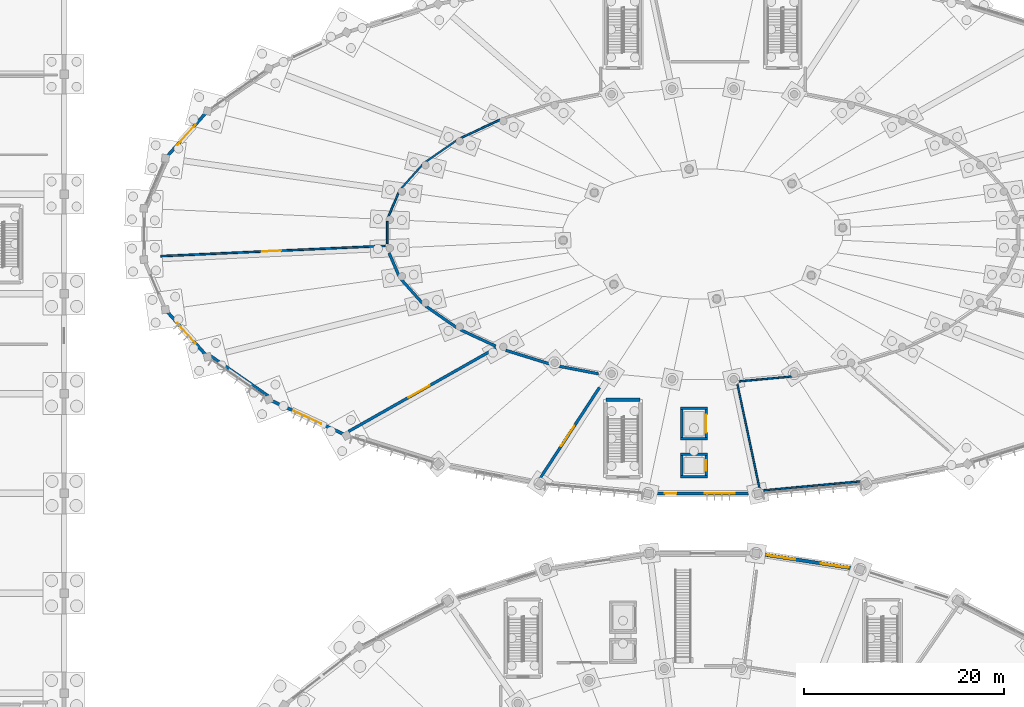
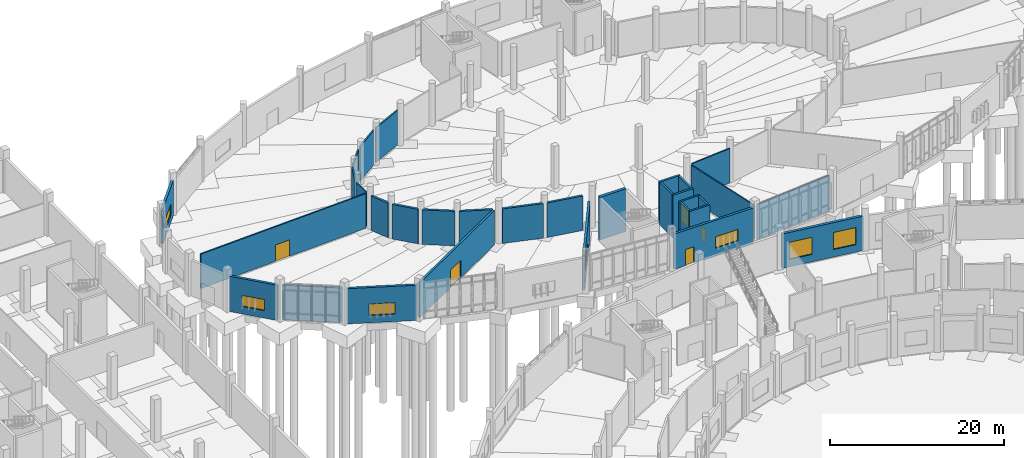
# One storey, part 84 of 140: 32 walls, 6 doors, 6 windows, 12 openings.
"""IFC4 building model written with IfcOpenShell, lengths in metres."""

from ifc_helpers import new_model, si_unit, direction, frame, frame_2d, origin, place, context, subcontext, project, spatial, rectangle, extrude, material, layer, layer_set, type_object, element, fill, save


model = new_model("IFC4")

# Units and contexts
model_context = context("Model", 3, precision=1e-05, world=origin(), true_north=direction((0.0, 1.0)))
body_context = subcontext(model_context, "Body", "Model", "MODEL_VIEW")
ifc_project = project(units=[si_unit("LENGTHUNIT", "METRE"), si_unit("AREAUNIT", "SQUARE_METRE"), si_unit("VOLUMEUNIT", "CUBIC_METRE"), si_unit("PLANEANGLEUNIT", "RADIAN"), si_unit("MASSUNIT", "GRAM", prefix="KILO")], contexts=[model_context])

# Site, building, storey
site_placement = place(None, origin())
site = spatial("IfcSite", under=ifc_project, at=site_placement, CompositionType="ELEMENT")
building_placement = place(site_placement, origin())
building = spatial("IfcBuilding", under=site, at=building_placement, Name="Corvandel Quay Wholesale Market", CompositionType="ELEMENT")
storey_placement = place(building_placement, origin())
storey = spatial("IfcBuildingStorey", under=building, at=storey_placement, Name="L00", CompositionType="ELEMENT", Elevation=0.0)

# Walls
ifc_material_1 = material(Name="PIR insulated food-safe sandwich panel")
ifc_layer_1 = layer(ifc_material_1, 0.280029296875)
ifc_layer_set_1 = layer_set([ifc_layer_1], Name="PIR insulated food-safe sandwich panel")
wall_type_1 = type_object("IfcWallType", Name="Cold Store Insulated Partition PT03 280", PredefinedType="PARTITIONING", material=ifc_layer_set_1)
wall_1_placement = place(storey_placement, frame((70.451416015625, 99.777587890625, 0.0), z_axis=(0.0, 0.0, 1.0), x_axis=(-0.821231355214, 0.570595356811, 0.0)))
element("IfcWall", 1, at=wall_1_placement, inside=storey, type_object=wall_type_1, Name="Interior Wall IW-0587", PredefinedType="PARTITIONING", context=body_context, shape_type="SweptSolid", body=[
    extrude(rectangle(XDim=6.969482421875, YDim=0.280029296875, at=frame_2d((3.48486328125, 0.0))), origin(), (0.0, 0.0, 1.0), 4.85009765625),
])
wall_2_placement = place(storey_placement, frame((82.55908203125, 114.095947265625, 0.0), z_axis=(0.0, 0.0, 1.0), x_axis=(0.395585757701, -0.918429043696, 0.0)))
element("IfcWall", 2, at=wall_2_placement, inside=storey, type_object=wall_type_1, Name="Interior Wall IW-0588", PredefinedType="PARTITIONING", context=body_context, shape_type="SweptSolid", body=[
    extrude(rectangle(XDim=2.4921875, YDim=0.280029296875, at=frame_2d((1.24609375, 0.0))), origin(), (0.0, 0.0, 1.0), 4.85009765625),
])
wall_3_placement = place(storey_placement, frame((83.7783203125, 111.44091796875, 0.0), z_axis=(0.0, 0.0, 1.0), x_axis=(0.665603277303, -0.746305753189, 0.0)))
element("IfcWall", 3, at=wall_3_placement, inside=storey, type_object=wall_type_1, Name="Interior Wall IW-0589", PredefinedType="PARTITIONING", context=body_context, shape_type="SweptSolid", body=[
    extrude(rectangle(XDim=3.176513671875, YDim=0.280029296875, at=frame_2d((1.58837890625, 0.0))), origin(), (0.0, 0.0, 1.0), 4.85009765625),
])
wall_4_placement = place(storey_placement, frame((86.2197265625, 108.780517578125, 0.0), z_axis=(0.0, 0.0, 1.0), x_axis=(0.821256810333, -0.570558718698, 0.0)))
element("IfcWall", 4, at=wall_4_placement, inside=storey, type_object=wall_type_1, Name="Interior Wall IW-0590", PredefinedType="PARTITIONING", context=body_context, shape_type="SweptSolid", body=[
    extrude(rectangle(XDim=3.791259765625, YDim=0.280029296875, at=frame_2d((1.8955078125, 0.0))), origin(), (0.0, 0.0, 1.0), 4.85009765625),
])
wall_5_placement = place(storey_placement, frame((89.71337890625, 106.3994140625, 0.0), z_axis=(0.0, 0.0, 1.0), x_axis=(0.906946461063, -0.421245910086, 0.0)))
element("IfcWall", 5, at=wall_5_placement, inside=storey, type_object=wall_type_1, Name="Interior Wall IW-0591", PredefinedType="PARTITIONING", context=body_context, shape_type="SweptSolid", body=[
    extrude(rectangle(XDim=3.89013671875, YDim=0.280029296875, at=frame_2d((1.945068359375, 0.0))), origin(), (0.0, 0.0, 1.0), 4.85009765625),
])

# Wall, opening, door
wall_6_placement = place(storey_placement, frame((93.24951171875, 104.559814453125, 0.0), z_axis=(0.0, 0.0, 1.0), x_axis=(-0.87035320062, -0.492427970541, 0.0)))
wall_6 = element("IfcWall", 6, at=wall_6_placement, inside=storey, type_object=wall_type_1, Name="Interior Wall IW-0592", PredefinedType="PARTITIONING", context=body_context, shape_type="SweptSolid", body=[
    extrude(rectangle(XDim=16.968017578125, YDim=0.280029296875, at=frame_2d((8.48388671875, 0.0))), origin(), (0.0, 0.0, 1.0), 4.85009765625),
])
opening_1_placement = place(wall_6_placement, frame((7.634033203125, 0.0, 0.0)))
opening_1 = element("IfcOpeningElement", 7, at=opening_1_placement, cuts=wall_6, Name="Opening L00-D100", PredefinedType="OPENING", context=body_context, shape_type="SweptSolid", body=[
    extrude(rectangle(XDim=2.39990234375, YDim=2.449951171875, at=frame_2d((1.199951171875, 1.22509765625))), frame((0.0, 0.14990234375, 0.0), z_axis=(0.0, -1.0, 0.0), x_axis=(1.0, 0.0, 0.0)), (0.0, 0.0, 1.0), 0.300048828125),
])
ifc_material_2 = material(Name="Stainless insulated cold-store leaf")
door_type_1 = type_object("IfcDoorType", Name="Cold Store Insulated Sliding Door ID06 2400x2450", OperationType="DOUBLE_DOOR_SLIDING", PredefinedType="DOOR", material=ifc_material_2)
door_1_placement = place(opening_1_placement, origin())
door_1 = element("IfcDoor", 8, at=door_1_placement, inside=storey, type_object=door_type_1, Name="Seafood Flake Ice Chiller Room Door", OperationType="DOUBLE_DOOR_SLIDING", OverallHeight=2.449951171875, OverallWidth=2.39990234375, PredefinedType="DOOR", context=body_context, shape_type="SweptSolid", body=[
    extrude(rectangle(XDim=2.39990234375, YDim=2.449951171875, at=frame_2d((1.199951171875, 1.22509765625))), frame((0.0, 0.02490234375, 0.0), z_axis=(0.0, -1.0, 0.0), x_axis=(1.0, 0.0, 0.0)), (0.0, 0.0, 1.0), 0.050048828125),
])
fill(opening_1, door_1)

# Walls
wall_7_placement = place(storey_placement, frame((94.2490234375, 104.34375, 0.0), z_axis=(0.0, 0.0, 1.0), x_axis=(0.955098678562, -0.296287890756, 0.0)))
element("IfcWall", 9, at=wall_7_placement, inside=storey, type_object=wall_type_1, Name="Interior Wall IW-0594", PredefinedType="PARTITIONING", context=body_context, shape_type="SweptSolid", body=[
    extrude(rectangle(XDim=4.82861328125, YDim=0.280029296875, at=frame_2d((2.414306640625, 0.0))), origin(), (0.0, 0.0, 1.0), 4.85009765625),
])
wall_8_placement = place(storey_placement, frame((99.287109375, 102.806396484375, 0.0), z_axis=(0.0, 0.0, 1.0), x_axis=(0.981954993589, -0.189114755017, 0.0)))
element("IfcWall", 10, at=wall_8_placement, inside=storey, type_object=wall_type_1, Name="Interior Wall IW-0595", PredefinedType="PARTITIONING", context=body_context, shape_type="SweptSolid", body=[
    extrude(rectangle(XDim=4.3349609375, YDim=0.280029296875, at=frame_2d((2.16748046875, 0.0))), origin(), (0.0, 0.0, 1.0), 4.85009765625),
])

# Wall, opening, door
wall_9_placement = place(storey_placement, frame((103.6396484375, 100.618896484375, 0.0), z_axis=(0.0, 0.0, 1.0), x_axis=(-0.546936891826, -0.837173838793, 0.0)))
wall_9 = element("IfcWall", 11, at=wall_9_placement, inside=storey, type_object=wall_type_1, Name="Interior Wall IW-0596", PredefinedType="PARTITIONING", context=body_context, shape_type="SweptSolid", body=[
    extrude(rectangle(XDim=10.927001953125, YDim=0.280029296875, at=frame_2d((5.46337890625, 0.0))), origin(), (0.0, 0.0, 1.0), 4.85009765625),
])
opening_2_placement = place(wall_9_placement, frame((4.613037109375, 0.0, 0.0)))
opening_2 = element("IfcOpeningElement", 12, at=opening_2_placement, cuts=wall_9, Name="Opening L00-D101", PredefinedType="OPENING", context=body_context, shape_type="SweptSolid", body=[
    extrude(rectangle(XDim=2.39990234375, YDim=2.449951171875, at=frame_2d((1.199951171875, 1.22509765625))), frame((0.0, 0.14990234375, 0.0), z_axis=(0.0, -1.0, 0.0), x_axis=(1.0, 0.0, 0.0)), (0.0, 0.0, 1.0), 0.300048828125),
])
door_2_placement = place(opening_2_placement, origin())
door_2 = element("IfcDoor", 13, at=door_2_placement, inside=storey, type_object=door_type_1, Name="Seafood Subzero Holding Freezer Door", OperationType="DOUBLE_DOOR_SLIDING", OverallHeight=2.449951171875, OverallWidth=2.39990234375, PredefinedType="DOOR", context=body_context, shape_type="SweptSolid", body=[
    extrude(rectangle(XDim=2.39990234375, YDim=2.449951171875, at=frame_2d((1.199951171875, 1.22509765625))), frame((0.0, 0.02490234375, 0.0), z_axis=(0.0, -1.0, 0.0), x_axis=(1.0, 0.0, 0.0)), (0.0, 0.0, 1.0), 0.050048828125),
])
fill(opening_2, door_2)

# Wall
ifc_material_3 = material(Name="Concrete C40/50", Category="concrete")
ifc_layer_2 = layer(ifc_material_3, 0.35009765625)
ifc_layer_set_2 = layer_set([ifc_layer_2], Name="Concrete C40/50")
wall_type_2 = type_object("IfcWallType", Name="Core Shear Wall SW01 350", PredefinedType="SHEAR", material=ifc_layer_set_2)
wall_10_placement = place(storey_placement, frame((104.27490234375, 99.375, 0.0), z_axis=(0.0, 0.0, 1.0), x_axis=(1.0, 0.0, 0.0)))
element("IfcWall", 14, at=wall_10_placement, inside=storey, type_object=wall_type_2, Name="Shear Wall IW-0050", PredefinedType="SHEAR", context=body_context, shape_type="SweptSolid", body=[
    extrude(rectangle(XDim=3.4501953125, YDim=0.35009765625, at=frame_2d((1.72509765625, 0.0))), origin(), (0.0, 0.0, 1.0), 6.0),
])

# Wall, opening, window
ifc_material_4 = material(Name="Marine precast concrete C45/55", Category="concrete")
ifc_layer_3 = layer(ifc_material_4, 0.31005859375)
ifc_layer_set_3 = layer_set([ifc_layer_3], Name="Marine precast concrete C45/55")
wall_type_3 = type_object("IfcWallType", Name="Fish Hall Marine Precast Wall EW06 310", PredefinedType="SOLIDWALL", material=ifc_layer_set_3)
wall_11_placement = place(storey_placement, frame((64.213134765625, 128.136962890625, 0.0), z_axis=(0.0, 0.0, 1.0), x_axis=(-0.665655603323, -0.746259082199, 0.0)))
wall_11 = element("IfcWall", 15, at=wall_11_placement, inside=storey, type_object=wall_type_3, Name="Exterior Wall EW-0117", PredefinedType="SOLIDWALL", context=body_context, shape_type="SweptSolid", body=[
    extrude(rectangle(XDim=5.86083984375, YDim=0.31005859375, at=frame_2d((2.930419921875, 0.0))), origin(), (0.0, 0.0, 1.0), 4.949951171875),
])
opening_3_placement = place(wall_11_placement, frame((1.554931640625, 0.0, 1.050048828125)))
opening_3 = element("IfcOpeningElement", 16, at=opening_3_placement, cuts=wall_11, Name="Opening L00-W058", PredefinedType="OPENING", context=body_context, shape_type="SweptSolid", body=[
    extrude(rectangle(XDim=2.75, YDim=1.550048828125, at=frame_2d((1.375, 0.77490234375))), frame((0.0, 0.1650390625, 0.0), z_axis=(0.0, -1.0, 0.0), x_axis=(1.0, 0.0, 0.0)), (0.0, 0.0, 1.0), 0.330078125),
])
ifc_material_5 = material(Name="Thermally broken bronze anodised aluminium and solar-control low-E double glazing", Category="aluminium")
window_type_1 = type_object("IfcWindowType", Name="North Market Clerestory Window WN24 2750x1550", PartitioningType="SINGLE_PANEL", PredefinedType="WINDOW", material=ifc_material_5)
window_1_placement = place(opening_3_placement, origin())
window_1 = element("IfcWindow", 17, at=window_1_placement, inside=storey, type_object=window_type_1, Name="Window L00-W058", OverallHeight=1.550048828125, OverallWidth=2.75, PartitioningType="SINGLE_PANEL", PredefinedType="WINDOW", context=body_context, shape_type="SweptSolid", body=[
    extrude(rectangle(XDim=2.75, YDim=1.550048828125, at=frame_2d((1.375, 0.77490234375))), frame((0.0, 0.030029296875, 0.0), z_axis=(0.0, -1.0, 0.0), x_axis=(1.0, 0.0, 0.0)), (0.0, 0.0, 1.0), 0.06005859375),
])
fill(opening_3, window_1)

wall_12_placement = place(storey_placement, frame((60.311767578125, 108.23681640625, 0.0), z_axis=(0.0, 0.0, 1.0), x_axis=(0.665655603323, -0.746259082199, 0.0)))
wall_12 = element("IfcWall", 18, at=wall_12_placement, inside=storey, type_object=wall_type_3, Name="Exterior Wall EW-0126", PredefinedType="SOLIDWALL", context=body_context, shape_type="SweptSolid", body=[
    extrude(rectangle(XDim=5.86083984375, YDim=0.31005859375, at=frame_2d((2.930419921875, 0.0))), origin(), (0.0, 0.0, 1.0), 4.949951171875),
])
opening_4_placement = place(wall_12_placement, frame((1.554931640625, 0.0, 1.050048828125)))
opening_4 = element("IfcOpeningElement", 19, at=opening_4_placement, cuts=wall_12, Name="Opening L00-W060", PredefinedType="OPENING", context=body_context, shape_type="SweptSolid", body=[
    extrude(rectangle(XDim=2.75, YDim=1.550048828125, at=frame_2d((1.375, 0.77490234375))), frame((0.0, 0.1650390625, 0.0), z_axis=(0.0, -1.0, 0.0), x_axis=(1.0, 0.0, 0.0)), (0.0, 0.0, 1.0), 0.330078125),
])
window_2_placement = place(opening_4_placement, origin())
window_2 = element("IfcWindow", 20, at=window_2_placement, inside=storey, type_object=window_type_1, Name="Window L00-W060", OverallHeight=1.550048828125, OverallWidth=2.75, PartitioningType="SINGLE_PANEL", PredefinedType="WINDOW", context=body_context, shape_type="SweptSolid", body=[
    extrude(rectangle(XDim=2.75, YDim=1.550048828125, at=frame_2d((1.375, 0.77490234375))), frame((0.0, 0.030029296875, 0.0), z_axis=(0.0, -1.0, 0.0), x_axis=(1.0, 0.0, 0.0)), (0.0, 0.0, 1.0), 0.06005859375),
])
fill(opening_4, window_2)

wall_13_placement = place(storey_placement, frame((70.7197265625, 99.324951171875, 0.0), z_axis=(0.0, 0.0, 1.0), x_axis=(0.906976563178, -0.421181093884, 0.0)))
wall_13 = element("IfcWall", 21, at=wall_13_placement, inside=storey, type_object=wall_type_3, Name="Exterior Wall EW-0130", PredefinedType="SOLIDWALL", context=body_context, shape_type="SweptSolid", body=[
    extrude(rectangle(XDim=8.119873046875, YDim=0.31005859375, at=frame_2d((4.06005859375, 0.0))), origin(), (0.0, 0.0, 1.0), 4.949951171875),
])
opening_5_placement = place(wall_13_placement, frame((2.56005859375, 0.0, 1.050048828125)))
opening_5 = element("IfcOpeningElement", 22, at=opening_5_placement, cuts=wall_13, Name="Opening L00-W061", PredefinedType="OPENING", context=body_context, shape_type="SweptSolid", body=[
    extrude(rectangle(XDim=3.0, YDim=1.60009765625, at=frame_2d((1.5, 0.800048828125))), frame((0.0, 0.1650390625, 0.0), z_axis=(0.0, -1.0, 0.0), x_axis=(1.0, 0.0, 0.0)), (0.0, 0.0, 1.0), 0.330078125),
])
window_type_2 = type_object("IfcWindowType", Name="Fish Hall High-Level Window WN06 3000x1600", PartitioningType="SINGLE_PANEL", PredefinedType="WINDOW", material=ifc_material_5)
window_3_placement = place(opening_5_placement, origin())
window_3 = element("IfcWindow", 23, at=window_3_placement, inside=storey, type_object=window_type_2, Name="Window L00-W061", OverallHeight=1.60009765625, OverallWidth=3.0, PartitioningType="SINGLE_PANEL", PredefinedType="WINDOW", context=body_context, shape_type="SweptSolid", body=[
    extrude(rectangle(XDim=3.0, YDim=1.60009765625, at=frame_2d((1.5, 0.800048828125))), frame((0.0, 0.030029296875, 0.0), z_axis=(0.0, -1.0, 0.0), x_axis=(1.0, 0.0, 0.0)), (0.0, 0.0, 1.0), 0.06005859375),
])
fill(opening_5, window_3)

# Wall, openings, window, door
wall_14_placement = place(storey_placement, frame((108.72412109375, 90.0, 0.0), z_axis=(0.0, 0.0, 1.0), x_axis=(1.0, 0.0, 0.0)))
wall_14 = element("IfcWall", 24, at=wall_14_placement, inside=storey, type_object=wall_type_3, Name="Exterior Wall EW-0138", PredefinedType="SOLIDWALL", context=body_context, shape_type="SweptSolid", body=[
    extrude(rectangle(XDim=10.5517578125, YDim=0.31005859375, at=frame_2d((5.27587890625, 0.0))), origin(), (0.0, 0.0, 1.0), 4.949951171875),
])
opening_6_placement = place(wall_14_placement, frame((1.47998046875, 0.0, 0.0)))
opening_6 = element("IfcOpeningElement", 25, at=opening_6_placement, cuts=wall_14, Name="Opening L00-D020", PredefinedType="OPENING", context=body_context, shape_type="SweptSolid", body=[
    extrude(rectangle(XDim=1.14990234375, YDim=2.25, at=frame_2d((0.574951171875, 1.125))), frame((0.0, 0.1650390625, 0.0), z_axis=(0.0, -1.0, 0.0), x_axis=(1.0, 0.0, 0.0)), (0.0, 0.0, 1.0), 0.330078125),
])
opening_7_placement = place(wall_14_placement, frame((5.47998046875, 0.0, 1.050048828125)))
opening_7 = element("IfcOpeningElement", 26, at=opening_7_placement, cuts=wall_14, Name="Opening L00-W063", PredefinedType="OPENING", context=body_context, shape_type="SweptSolid", body=[
    extrude(rectangle(XDim=3.0, YDim=1.60009765625, at=frame_2d((1.5, 0.800048828125))), frame((0.0, 0.1650390625, 0.0), z_axis=(0.0, -1.0, 0.0), x_axis=(1.0, 0.0, 0.0)), (0.0, 0.0, 1.0), 0.330078125),
])
window_4_placement = place(opening_7_placement, origin())
window_4 = element("IfcWindow", 27, at=window_4_placement, inside=storey, type_object=window_type_2, Name="Window L00-W063", OverallHeight=1.60009765625, OverallWidth=3.0, PartitioningType="SINGLE_PANEL", PredefinedType="WINDOW", context=body_context, shape_type="SweptSolid", body=[
    extrude(rectangle(XDim=3.0, YDim=1.60009765625, at=frame_2d((1.5, 0.800048828125))), frame((0.0, 0.030029296875, 0.0), z_axis=(0.0, -1.0, 0.0), x_axis=(1.0, 0.0, 0.0)), (0.0, 0.0, 1.0), 0.06005859375),
])
fill(opening_7, window_4)
ifc_material_6 = material(Name="Bronze anodised aluminium and low-E glass", Category="aluminium")
door_type_2 = type_object("IfcDoorType", Name="Terrace Single Glazed Door ED09 1150x2250", OperationType="SINGLE_SWING_LEFT", PredefinedType="DOOR", material=ifc_material_6)
door_3_placement = place(opening_6_placement, origin())
door_3 = element("IfcDoor", 28, at=door_3_placement, inside=storey, type_object=door_type_2, Name="Main Pedestrian Exit V2-23", OperationType="SINGLE_SWING_LEFT", OverallHeight=2.25, OverallWidth=1.14990234375, PredefinedType="DOOR", context=body_context, shape_type="SweptSolid", body=[
    extrude(rectangle(XDim=1.14990234375, YDim=2.25, at=frame_2d((0.574951171875, 1.125))), frame((0.0, 0.02490234375, 0.0), z_axis=(0.0, -1.0, 0.0), x_axis=(1.0, 0.0, 0.0)), (0.0, 0.0, 1.0), 0.050048828125),
])
fill(opening_6, door_3)

# Walls
ifc_material_7 = material(Name="FRP-faced cementitious board stud wall")
ifc_layer_4 = layer(ifc_material_7, 0.179931640625)
ifc_layer_set_4 = layer_set([ifc_layer_4], Name="FRP-faced cementitious board stud wall")
wall_type_4 = type_object("IfcWallType", Name="Hygienic Washdown Partition PT05 180", PredefinedType="PARTITIONING", material=ifc_layer_set_4)
wall_15_placement = place(storey_placement, frame((93.70361328125, 127.453369140625, 0.0), z_axis=(0.0, 0.0, 1.0), x_axis=(-0.906993827143, -0.421143915455, 0.0)))
element("IfcWall", 29, at=wall_15_placement, inside=storey, type_object=wall_type_4, Name="Interior Wall IW-0580", PredefinedType="PARTITIONING", context=body_context, shape_type="SweptSolid", body=[
    extrude(rectangle(XDim=4.3994140625, YDim=0.179931640625, at=frame_2d((2.19970703125, 0.0))), origin(), (0.0, 0.0, 1.0), 4.85009765625),
])
wall_16_placement = place(storey_placement, frame((89.333251953125, 125.382568359375, 0.0), z_axis=(0.0, 0.0, 1.0), x_axis=(-0.821483924085, -0.570231674383, 0.0)))
element("IfcWall", 30, at=wall_16_placement, inside=storey, type_object=wall_type_4, Name="Interior Wall IW-0581", PredefinedType="PARTITIONING", context=body_context, shape_type="SweptSolid", body=[
    extrude(rectangle(XDim=3.763427734375, YDim=0.179931640625, at=frame_2d((1.8818359375, 0.0))), origin(), (0.0, 0.0, 1.0), 4.85009765625),
])
wall_17_placement = place(storey_placement, frame((85.914306640625, 122.947021484375, 0.0), z_axis=(0.0, 0.0, 1.0), x_axis=(-0.667172710191, -0.744903064014, 0.0)))
element("IfcWall", 31, at=wall_17_placement, inside=storey, type_object=wall_type_4, Name="Interior Wall IW-0582", PredefinedType="PARTITIONING", context=body_context, shape_type="SweptSolid", body=[
    extrude(rectangle(XDim=3.17236328125, YDim=0.179931640625, at=frame_2d((1.586181640625, 0.0))), origin(), (0.0, 0.0, 1.0), 4.85009765625),
])
wall_18_placement = place(storey_placement, frame((83.519775390625, 120.146484375, 0.0), z_axis=(0.0, 0.0, 1.0), x_axis=(-0.39239535141, -0.919796655893, 0.0)))
element("IfcWall", 32, at=wall_18_placement, inside=storey, type_object=wall_type_4, Name="Interior Wall IW-0583", PredefinedType="PARTITIONING", context=body_context, shape_type="SweptSolid", body=[
    extrude(rectangle(XDim=2.669189453125, YDim=0.179931640625, at=frame_2d((1.33447265625, 0.0))), origin(), (0.0, 0.0, 1.0), 4.85009765625),
])
wall_19_placement = place(storey_placement, frame((82.385498046875, 117.26904296875, 0.0), z_axis=(0.0, 0.0, 1.0), x_axis=(-0.002184593367, -0.999997613773, 0.0)))
element("IfcWall", 33, at=wall_19_placement, inside=storey, type_object=wall_type_4, Name="Interior Wall IW-0584", PredefinedType="PARTITIONING", context=body_context, shape_type="SweptSolid", body=[
    extrude(rectangle(XDim=2.235107421875, YDim=0.179931640625, at=frame_2d((1.11767578125, 0.0))), origin(), (0.0, 0.0, 1.0), 4.85009765625),
])

# Wall, opening, door
wall_20_placement = place(storey_placement, frame((82.16015625, 114.803955078125, 0.0), z_axis=(0.0, 0.0, 1.0), x_axis=(-0.99895584627, -0.045686072301, 0.0)))
wall_20 = element("IfcWall", 34, at=wall_20_placement, inside=storey, type_object=wall_type_4, Name="Interior Wall IW-0585", PredefinedType="PARTITIONING", context=body_context, shape_type="SweptSolid", body=[
    extrude(rectangle(XDim=22.513671875, YDim=0.179931640625, at=frame_2d((11.2568359375, 0.0))), origin(), (0.0, 0.0, 1.0), 4.85009765625),
])
opening_8_placement = place(wall_20_placement, frame((10.406982421875, 0.0, 0.0)))
opening_8 = element("IfcOpeningElement", 35, at=opening_8_placement, cuts=wall_20, Name="Opening L00-D099", PredefinedType="OPENING", context=body_context, shape_type="SweptSolid", body=[
    extrude(rectangle(XDim=1.89990234375, YDim=2.300048828125, at=frame_2d((0.949951171875, 1.14990234375))), frame((0.0, 0.099853515625, 0.0), z_axis=(0.0, -1.0, 0.0), x_axis=(1.0, 0.0, 0.0)), (0.0, 0.0, 1.0), 0.199951171875),
])
ifc_material_8 = material(Name="Brushed stainless steel hygienic leaf", Category="steel")
door_type_3 = type_object("IfcDoorType", Name="Canteen Kitchen Double Door ID17 1900x2300", OperationType="DOUBLE_DOOR_SINGLE_SWING", PredefinedType="DOOR", material=ifc_material_8)
door_4_placement = place(opening_8_placement, origin())
door_4 = element("IfcDoor", 36, at=door_4_placement, inside=storey, type_object=door_type_3, Name="Wet Fish and Seafood Trading Hall Door", OperationType="DOUBLE_DOOR_SINGLE_SWING", OverallHeight=2.300048828125, OverallWidth=1.89990234375, PredefinedType="DOOR", context=body_context, shape_type="SweptSolid", body=[
    extrude(rectangle(XDim=1.89990234375, YDim=2.300048828125, at=frame_2d((0.949951171875, 1.14990234375))), frame((0.0, 0.02490234375, 0.0), z_axis=(0.0, -1.0, 0.0), x_axis=(1.0, 0.0, 0.0)), (0.0, 0.0, 1.0), 0.050048828125),
])
fill(opening_8, door_4)

# Walls
ifc_layer_5 = layer(ifc_material_3, 0.25)
ifc_layer_set_5 = layer_set([ifc_layer_5], Name="Concrete C40/50")
wall_type_5 = type_object("IfcWallType", Name="Lift Shaft Shear Wall SW03 250", PredefinedType="SHEAR", material=ifc_layer_set_5)
for number, where, z_axis, x_axis, name in (
    (37, (111.75, 91.675048828125, 0.0), (0.0, 0.0, 1.0), (1.0, 0.0, 0.0), "Shear Wall IW-0265"),
    (38, (111.75, 93.925048828125, 0.0), (0.0, 0.0, 1.0), (1.0, 0.0, 0.0), "Shear Wall IW-0266"),
):
    element("IfcWall", number, at=place(storey_placement, frame(where, z_axis=z_axis, x_axis=x_axis)), inside=storey, type_object=wall_type_5, Name=name, PredefinedType="SHEAR", context=body_context, shape_type="SweptSolid", body=[
        extrude(rectangle(XDim=2.699951171875, YDim=0.25, at=frame_2d((1.35009765625, 0.0))), origin(), (0.0, 0.0, 1.0), 6.0),
    ])
wall_21_placement = place(storey_placement, frame((111.875, 91.7900390625, 0.0), z_axis=(0.0, 0.0, 1.0), x_axis=(0.0, 1.0, 0.0)))
element("IfcWall", 39, at=wall_21_placement, inside=storey, type_object=wall_type_5, Name="Shear Wall IW-0267", PredefinedType="SHEAR", context=body_context, shape_type="SweptSolid", body=[
    extrude(rectangle(XDim=2.02001953125, YDim=0.25, at=frame_2d((1.010009765625, 0.0))), origin(), (0.0, 0.0, 1.0), 6.0),
])

# Wall, opening, door
wall_22_placement = place(storey_placement, frame((114.324951171875, 91.7900390625, 0.0), z_axis=(0.0, 0.0, 1.0), x_axis=(0.0, 1.0, 0.0)))
wall_22 = element("IfcWall", 40, at=wall_22_placement, inside=storey, type_object=wall_type_5, Name="Shear Wall IW-0268", PredefinedType="SHEAR", context=body_context, shape_type="SweptSolid", body=[
    extrude(rectangle(XDim=2.02001953125, YDim=0.25, at=frame_2d((1.010009765625, 0.0))), origin(), (0.0, 0.0, 1.0), 6.0),
])
opening_9_placement = place(wall_22_placement, frame((0.4599609375, 0.0, 0.0)))
opening_9 = element("IfcOpeningElement", 41, at=opening_9_placement, cuts=wall_22, Name="Opening LD-L00-078", PredefinedType="OPENING", context=body_context, shape_type="SweptSolid", body=[
    extrude(rectangle(XDim=1.10009765625, YDim=2.199951171875, at=frame_2d((0.550048828125, 1.10009765625))), frame((0.0, 0.135009765625, 0.0), z_axis=(0.0, -1.0, 0.0), x_axis=(1.0, 0.0, 0.0)), (0.0, 0.0, 1.0), 0.27001953125),
])
ifc_material_9 = material(Name="Brushed stainless steel", Category="steel")
door_type_4 = type_object("IfcDoorType", Name="Passenger Lift Landing Door LD01 1100x2200", OperationType="DOUBLE_DOOR_SLIDING", PredefinedType="DOOR", material=ifc_material_9)
door_5_placement = place(opening_9_placement, origin())
door_5 = element("IfcDoor", 42, at=door_5_placement, inside=storey, type_object=door_type_4, Name="Lift Landing Door LF-V2P1-L00", OperationType="DOUBLE_DOOR_SLIDING", OverallHeight=2.199951171875, OverallWidth=1.10009765625, PredefinedType="DOOR", context=body_context, shape_type="SweptSolid", body=[
    extrude(rectangle(XDim=1.10009765625, YDim=2.199951171875, at=frame_2d((0.550048828125, 1.10009765625))), frame((0.0, 0.02490234375, 0.0), z_axis=(0.0, -1.0, 0.0), x_axis=(1.0, 0.0, 0.0)), (0.0, 0.0, 1.0), 0.050048828125),
])
fill(opening_9, door_5)

# Walls
for number, where, z_axis, x_axis, name in (
    (43, (111.75, 95.47509765625, 0.0), (0.0, 0.0, 1.0), (1.0, 0.0, 0.0), "Shear Wall IW-0277"),
    (44, (111.75, 98.52490234375, 0.0), (0.0, 0.0, 1.0), (1.0, 0.0, 0.0), "Shear Wall IW-0278"),
):
    element("IfcWall", number, at=place(storey_placement, frame(where, z_axis=z_axis, x_axis=x_axis)), inside=storey, type_object=wall_type_5, Name=name, PredefinedType="SHEAR", context=body_context, shape_type="SweptSolid", body=[
        extrude(rectangle(XDim=2.699951171875, YDim=0.25, at=frame_2d((1.35009765625, 0.0))), origin(), (0.0, 0.0, 1.0), 6.0),
    ])
wall_23_placement = place(storey_placement, frame((111.875, 95.590087890625, 0.0), z_axis=(0.0, 0.0, 1.0), x_axis=(0.0, 1.0, 0.0)))
element("IfcWall", 45, at=wall_23_placement, inside=storey, type_object=wall_type_5, Name="Shear Wall IW-0279", PredefinedType="SHEAR", context=body_context, shape_type="SweptSolid", body=[
    extrude(rectangle(XDim=2.81982421875, YDim=0.25, at=frame_2d((1.409912109375, 0.0))), origin(), (0.0, 0.0, 1.0), 6.0),
])

# Wall, opening, door
wall_24_placement = place(storey_placement, frame((114.324951171875, 95.590087890625, 0.0), z_axis=(0.0, 0.0, 1.0), x_axis=(0.0, 1.0, 0.0)))
wall_24 = element("IfcWall", 46, at=wall_24_placement, inside=storey, type_object=wall_type_5, Name="Shear Wall IW-0280", PredefinedType="SHEAR", context=body_context, shape_type="SweptSolid", body=[
    extrude(rectangle(XDim=2.81982421875, YDim=0.25, at=frame_2d((1.409912109375, 0.0))), origin(), (0.0, 0.0, 1.0), 6.0),
])
opening_10_placement = place(wall_24_placement, frame((0.510009765625, 0.0, 0.0)))
opening_10 = element("IfcOpeningElement", 47, at=opening_10_placement, cuts=wall_24, Name="Opening LD-L00-079", PredefinedType="OPENING", context=body_context, shape_type="SweptSolid", body=[
    extrude(rectangle(XDim=1.800048828125, YDim=2.39990234375, at=frame_2d((0.89990234375, 1.199951171875))), frame((0.0, 0.135009765625, 0.0), z_axis=(0.0, -1.0, 0.0), x_axis=(1.0, 0.0, 0.0)), (0.0, 0.0, 1.0), 0.27001953125),
])
ifc_material_10 = material(Name="Heavy-duty brushed stainless steel", Category="steel")
door_type_5 = type_object("IfcDoorType", Name="Goods Lift Landing Door LD02 1800x2400", OperationType="DOUBLE_DOOR_SLIDING", PredefinedType="DOOR", material=ifc_material_10)
door_6_placement = place(opening_10_placement, origin())
door_6 = element("IfcDoor", 48, at=door_6_placement, inside=storey, type_object=door_type_5, Name="Lift Landing Door LF-V2F1-L00", OperationType="DOUBLE_DOOR_SLIDING", OverallHeight=2.39990234375, OverallWidth=1.800048828125, PredefinedType="DOOR", context=body_context, shape_type="SweptSolid", body=[
    extrude(rectangle(XDim=1.800048828125, YDim=2.39990234375, at=frame_2d((0.89990234375, 1.199951171875))), frame((0.0, 0.02490234375, 0.0), z_axis=(0.0, -1.0, 0.0), x_axis=(1.0, 0.0, 0.0)), (0.0, 0.0, 1.0), 0.050048828125),
])
fill(opening_10, door_6)

# Walls
ifc_material_11 = material(Name="Moisture-resistant tile-backer partition")
ifc_layer_6 = layer(ifc_material_11, 0.159912109375)
ifc_layer_set_6 = layer_set([ifc_layer_6], Name="Moisture-resistant tile-backer partition")
wall_type_6 = type_object("IfcWallType", Name="Sanitary Tile Partition PT06 160", PredefinedType="PARTITIONING", material=ifc_layer_set_6)
wall_25_placement = place(storey_placement, frame((117.623046875, 101.228271484375, 0.0), z_axis=(0.0, 0.0, 1.0), x_axis=(0.995762119304, 0.091966307736, 0.0)))
element("IfcWall", 49, at=wall_25_placement, inside=storey, type_object=wall_type_6, Name="Interior Wall IW-0597", PredefinedType="PARTITIONING", context=body_context, shape_type="SweptSolid", body=[
    extrude(rectangle(XDim=5.3544921875, YDim=0.159912109375, at=frame_2d((2.67724609375, 0.0))), origin(), (0.0, 0.0, 1.0), 4.85009765625),
])
wall_26_placement = place(storey_placement, frame((130.078857421875, 91.23681640625, 0.0), z_axis=(0.0, 0.0, 1.0), x_axis=(-0.995760058063, -0.091988623031, 0.0)))
element("IfcWall", 50, at=wall_26_placement, inside=storey, type_object=wall_type_6, Name="Interior Wall IW-0600", PredefinedType="PARTITIONING", context=body_context, shape_type="SweptSolid", body=[
    extrude(rectangle(XDim=10.180908203125, YDim=0.159912109375, at=frame_2d((5.09033203125, 0.0))), origin(), (0.0, 0.0, 1.0), 4.949951171875),
])
wall_27_placement = place(storey_placement, frame((119.676513671875, 90.4951171875, 0.0), z_axis=(0.0, 0.0, 1.0), x_axis=(-0.207504208355, 0.978234125102, 0.0)))
element("IfcWall", 51, at=wall_27_placement, inside=storey, type_object=wall_type_6, Name="Interior Wall IW-0601", PredefinedType="PARTITIONING", context=body_context, shape_type="SweptSolid", body=[
    extrude(rectangle(XDim=10.7314453125, YDim=0.159912109375, at=frame_2d((5.36572265625, 0.0))), origin(), (0.0, 0.0, 1.0), 4.85009765625),
])

# Wall, openings, windows
ifc_material_12 = material(Name="Terracotta precast concrete C45/55", Category="masonry")
ifc_layer_7 = layer(ifc_material_12, 0.340087890625)
ifc_layer_set_7 = layer_set([ifc_layer_7], Name="Terracotta precast concrete C45/55")
wall_type_7 = type_object("IfcWallType", Name="Terracotta Ribbed Precast Wall EW01 340", PredefinedType="SOLIDWALL", material=ifc_layer_set_7)
wall_28_placement = place(storey_placement, frame((129.484130859375, 82.42724609375, 0.0), z_axis=(0.0, 0.0, 1.0), x_axis=(-0.988241433344, 0.152901502352, 0.0)))
wall_28 = element("IfcWall", 52, at=wall_28_placement, inside=storey, type_object=wall_type_7, Name="Exterior Wall EW-0018", PredefinedType="SOLIDWALL", context=body_context, shape_type="SweptSolid", body=[
    extrude(rectangle(XDim=10.01611328125, YDim=0.340087890625, at=frame_2d((5.008056640625, 0.0))), origin(), (0.0, 0.0, 1.0), 4.830078125),
])
opening_11_placement = place(wall_28_placement, frame((0.89990234375, 0.0, 1.050048828125)))
opening_11 = element("IfcOpeningElement", 53, at=opening_11_placement, cuts=wall_28, Name="Opening L00-W011", PredefinedType="OPENING", context=body_context, shape_type="SweptSolid", body=[
    extrude(rectangle(XDim=2.800048828125, YDim=2.39990234375, at=frame_2d((1.39990234375, 1.199951171875))), frame((0.0, 0.179931640625, 0.0), z_axis=(0.0, -1.0, 0.0), x_axis=(1.0, 0.0, 0.0)), (0.0, 0.0, 1.0), 0.360107421875),
])
opening_12_placement = place(wall_28_placement, frame((6.31591796875, 0.0, 1.050048828125)))
opening_12 = element("IfcOpeningElement", 54, at=opening_12_placement, cuts=wall_28, Name="Opening L00-W012", PredefinedType="OPENING", context=body_context, shape_type="SweptSolid", body=[
    extrude(rectangle(XDim=2.800048828125, YDim=2.39990234375, at=frame_2d((1.39990234375, 1.199951171875))), frame((0.0, 0.179931640625, 0.0), z_axis=(0.0, -1.0, 0.0), x_axis=(1.0, 0.0, 0.0)), (0.0, 0.0, 1.0), 0.360107421875),
])
window_type_3 = type_object("IfcWindowType", Name="Produce Hall Arched Ribbon Window WN01 2800x2400", PartitioningType="SINGLE_PANEL", PredefinedType="WINDOW", material=ifc_material_5)
window_5_placement = place(opening_11_placement, origin())
window_5 = element("IfcWindow", 55, at=window_5_placement, inside=storey, type_object=window_type_3, Name="Window L00-W011", OverallHeight=2.39990234375, OverallWidth=2.800048828125, PartitioningType="SINGLE_PANEL", PredefinedType="WINDOW", context=body_context, shape_type="SweptSolid", body=[
    extrude(rectangle(XDim=2.800048828125, YDim=2.39990234375, at=frame_2d((1.39990234375, 1.199951171875))), frame((0.0, 0.030029296875, 0.0), z_axis=(0.0, -1.0, 0.0), x_axis=(1.0, 0.0, 0.0)), (0.0, 0.0, 1.0), 0.06005859375),
])
fill(opening_11, window_5)
window_6_placement = place(opening_12_placement, origin())
window_6 = element("IfcWindow", 56, at=window_6_placement, inside=storey, type_object=window_type_3, Name="Window L00-W012", OverallHeight=2.39990234375, OverallWidth=2.800048828125, PartitioningType="SINGLE_PANEL", PredefinedType="WINDOW", context=body_context, shape_type="SweptSolid", body=[
    extrude(rectangle(XDim=2.800048828125, YDim=2.39990234375, at=frame_2d((1.39990234375, 1.199951171875))), frame((0.0, 0.030029296875, 0.0), z_axis=(0.0, -1.0, 0.0), x_axis=(1.0, 0.0, 0.0)), (0.0, 0.0, 1.0), 0.06005859375),
])
fill(opening_12, window_6)

save(model, "model.ifc")
